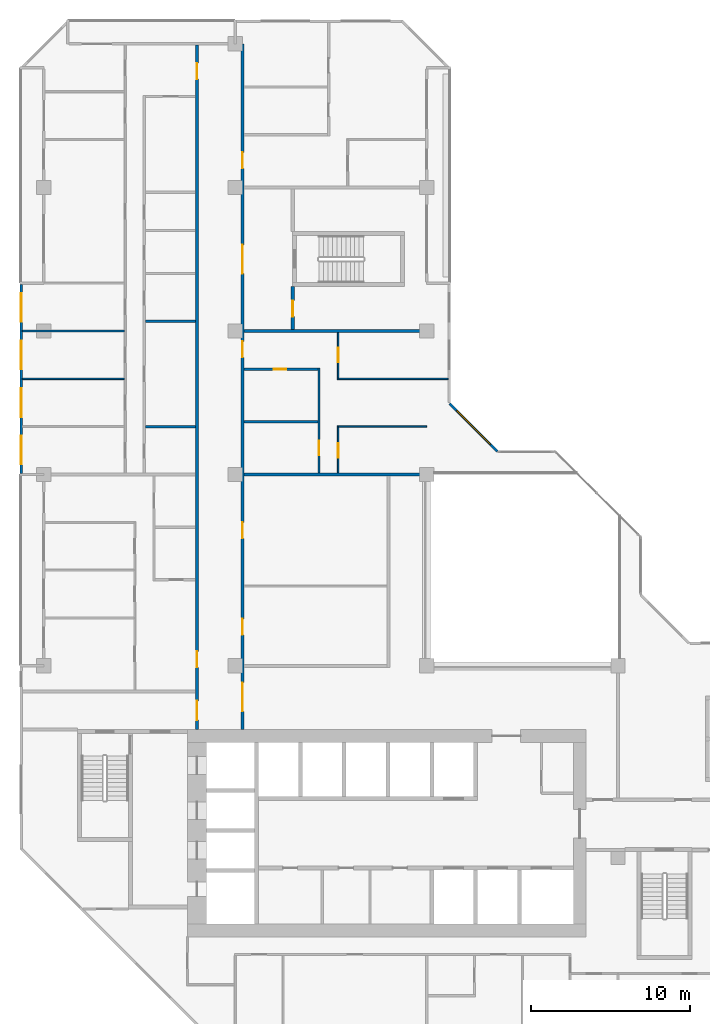
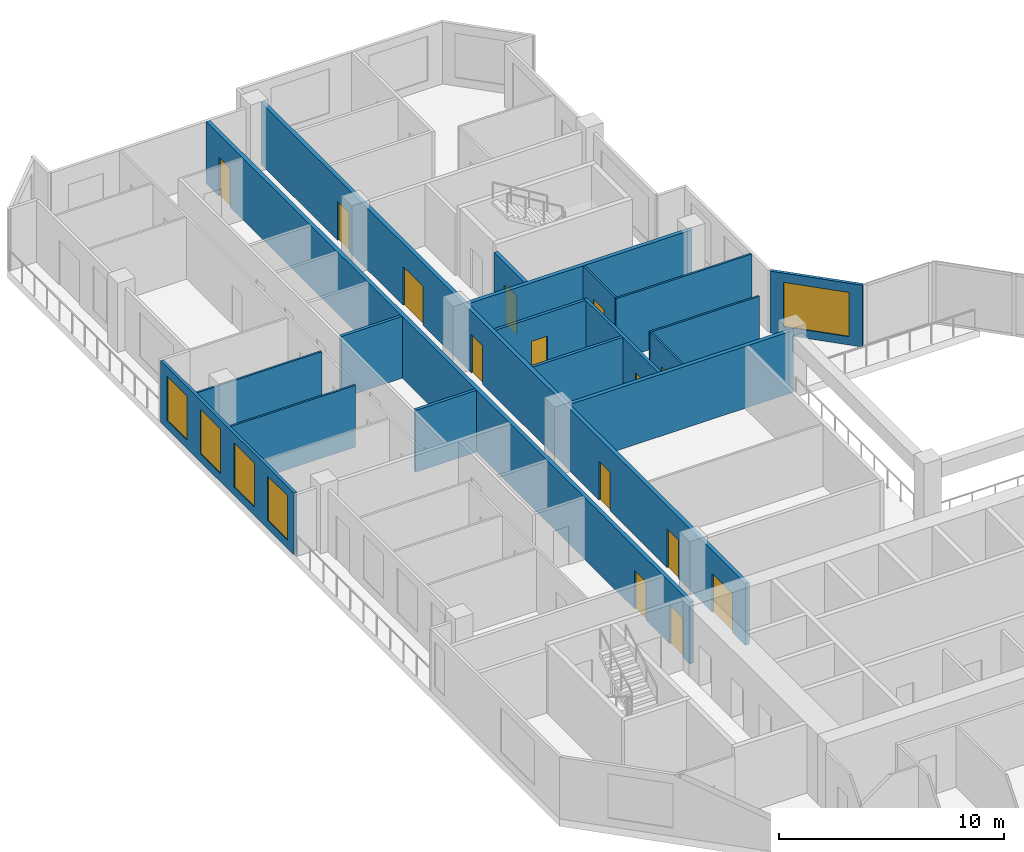
# One storey, part 9 of 14: 18 walls, 14 doors, 5 windows, 19 openings.
"""IFC4 building model written with IfcOpenShell, lengths in metres."""

from ifc_helpers import new_model, si_unit, direction, frame, frame_2d, origin, place, context, subcontext, project, spatial, rectangle, extrude, material, layer, layer_set, type_object, element, fill, save


model = new_model("IFC4")

# Units and contexts
model_context = context("Model", 3, precision=1e-05, world=origin(), true_north=direction((0.0, 1.0)))
body_context = subcontext(model_context, "Body", "Model", "MODEL_VIEW")
ifc_project = project(units=[si_unit("LENGTHUNIT", "METRE"), si_unit("AREAUNIT", "SQUARE_METRE"), si_unit("VOLUMEUNIT", "CUBIC_METRE"), si_unit("PLANEANGLEUNIT", "RADIAN"), si_unit("MASSUNIT", "GRAM", prefix="KILO")], contexts=[model_context])

# Site, building, storey
site_placement = place(None, origin())
site = spatial("IfcSite", under=ifc_project, at=site_placement, CompositionType="ELEMENT")
building_placement = place(site_placement, origin())
building = spatial("IfcBuilding", under=site, at=building_placement, Name="Chenar Terraces", CompositionType="ELEMENT")
storey_placement = place(building_placement, frame((0.0, 0.0, 161.14990234375)))
storey = spatial("IfcBuildingStorey", under=building, at=storey_placement, Name="L36", CompositionType="ELEMENT", Elevation=161.14990234375)

# Wall, openings, doors
ifc_material_1 = material(Name="Gypsum board on steel studs with fire boards", Category="steel")
ifc_layer_1 = layer(ifc_material_1, 0.199951171875)
ifc_layer_set_1 = layer_set([ifc_layer_1], Name="Gypsum board on steel studs with fire boards")
wall_type_1 = type_object("IfcWallType", Name="Corridor wall 200", PredefinedType="PARTITIONING", material=ifc_layer_set_1)
wall_1_placement = place(storey_placement, frame((9.60009765625, 20.0, 0.0), z_axis=(0.0, 0.0, 1.0), x_axis=(0.0, 1.0, 0.0)))
wall_1 = element("IfcWall", 1, at=wall_1_placement, inside=storey, type_object=wall_type_1, Name="Partition L36-028", PredefinedType="PARTITIONING", context=body_context, shape_type="SweptSolid", body=[
    extrude(rectangle(XDim=42.926025390625, YDim=0.199951171875, at=frame_2d((21.462890625, 0.0))), origin(), (0.0, 0.0, 1.0), 3.35009765625),
])
opening_1_placement = place(wall_1_placement, frame((40.800048828125, 0.0, 0.0)))
opening_1 = element("IfcOpeningElement", 2, at=opening_1_placement, cuts=wall_1, Name="Opening DL36-28", PredefinedType="OPENING", context=body_context, shape_type="SweptSolid", body=[
    extrude(rectangle(XDim=1.0, YDim=2.10009765625, at=frame_2d((0.5, 1.050048828125))), frame((0.0, 0.10986328125, 0.0), z_axis=(0.0, -1.0, 0.0), x_axis=(1.0, 0.0, 0.0)), (0.0, 0.0, 1.0), 0.219970703125),
])
opening_2_placement = place(wall_1_placement, frame((0.60009765625, 0.0, 0.0)))
opening_2 = element("IfcOpeningElement", 3, at=opening_2_placement, cuts=wall_1, Name="Opening DL36-37", PredefinedType="OPENING", context=body_context, shape_type="SweptSolid", body=[
    extrude(rectangle(XDim=1.199951171875, YDim=2.10009765625, at=frame_2d((0.60009765625, 1.050048828125))), frame((0.0, 0.10986328125, 0.0), z_axis=(0.0, -1.0, 0.0), x_axis=(1.0, 0.0, 0.0)), (0.0, 0.0, 1.0), 0.219970703125),
])
opening_3_placement = place(wall_1_placement, frame((3.89990234375, 0.0, 0.0)))
opening_3 = element("IfcOpeningElement", 4, at=opening_3_placement, cuts=wall_1, Name="Opening DL36-62", PredefinedType="OPENING", context=body_context, shape_type="SweptSolid", body=[
    extrude(rectangle(XDim=1.0, YDim=2.10009765625, at=frame_2d((0.5, 1.050048828125))), frame((0.0, 0.10986328125, 0.0), z_axis=(0.0, -1.0, 0.0), x_axis=(1.0, 0.0, 0.0)), (0.0, 0.0, 1.0), 0.219970703125),
])
ifc_material_2 = material(Name="Steel-framed fire-resisting door leaf", Category="steel")
door_type_1 = type_object("IfcDoorType", Name="Fire door FD30S 1000 x 2100", OperationType="SINGLE_SWING_LEFT", PredefinedType="DOOR", material=ifc_material_2)
door_1_placement = place(opening_1_placement, origin())
door_1 = element("IfcDoor", 5, at=door_1_placement, inside=storey, type_object=door_type_1, Name="Door DL36-28", OperationType="SINGLE_SWING_LEFT", OverallHeight=2.10009765625, OverallWidth=1.0, PredefinedType="DOOR", context=body_context, shape_type="SweptSolid", body=[
    extrude(rectangle(XDim=1.0, YDim=2.10009765625, at=frame_2d((0.5, 1.050048828125))), frame((0.0, 0.02490234375, 0.0), z_axis=(0.0, -1.0, 0.0), x_axis=(1.0, 0.0, 0.0)), (0.0, 0.0, 1.0), 0.050048828125),
])
fill(opening_1, door_1)
door_2_placement = place(opening_3_placement, origin())
door_2 = element("IfcDoor", 6, at=door_2_placement, inside=storey, type_object=door_type_1, Name="Door DL36-62", OperationType="SINGLE_SWING_LEFT", OverallHeight=2.10009765625, OverallWidth=1.0, PredefinedType="DOOR", context=body_context, shape_type="SweptSolid", body=[
    extrude(rectangle(XDim=1.0, YDim=2.10009765625, at=frame_2d((0.5, 1.050048828125))), frame((0.0, 0.02490234375, 0.0), z_axis=(0.0, -1.0, 0.0), x_axis=(1.0, 0.0, 0.0)), (0.0, 0.0, 1.0), 0.050048828125),
])
fill(opening_3, door_2)
ifc_material_3 = material(Name="Steel-framed fire-resisting door leaf", Category="steel")
door_type_2 = type_object("IfcDoorType", Name="Fire door FD30S 1200 x 2100", OperationType="SINGLE_SWING_LEFT", PredefinedType="DOOR", material=ifc_material_3)
door_3_placement = place(opening_2_placement, origin())
door_3 = element("IfcDoor", 7, at=door_3_placement, inside=storey, type_object=door_type_2, Name="Door DL36-37", OperationType="SINGLE_SWING_RIGHT", OverallHeight=2.10009765625, OverallWidth=1.199951171875, PredefinedType="DOOR", context=body_context, shape_type="SweptSolid", body=[
    extrude(rectangle(XDim=1.199951171875, YDim=2.10009765625, at=frame_2d((0.60009765625, 1.050048828125))), frame((0.0, 0.02490234375, 0.0), z_axis=(0.0, -1.0, 0.0), x_axis=(1.0, 0.0, 0.0)), (0.0, 0.0, 1.0), 0.050048828125),
])
fill(opening_2, door_3)

wall_2_placement = place(storey_placement, frame((12.449951171875, 20.0, 0.0), z_axis=(0.0, 0.0, 1.0), x_axis=(0.0, 1.0, 0.0)))
wall_2 = element("IfcWall", 8, at=wall_2_placement, inside=storey, type_object=wall_type_1, Name="Partition L36-031", PredefinedType="PARTITIONING", context=body_context, shape_type="SweptSolid", body=[
    extrude(rectangle(XDim=43.0, YDim=0.199951171875, at=frame_2d((21.5, 0.0))), origin(), (0.0, 0.0, 1.0), 3.35009765625),
])
opening_4_placement = place(wall_2_placement, frame((5.949951171875, 0.0, 0.0)))
opening_4 = element("IfcOpeningElement", 9, at=opening_4_placement, cuts=wall_2, Name="Opening DL36-1", PredefinedType="OPENING", context=body_context, shape_type="SweptSolid", body=[
    extrude(rectangle(XDim=1.0, YDim=2.10009765625, at=frame_2d((0.5, 1.050048828125))), frame((0.0, 0.10986328125, 0.0), z_axis=(0.0, -1.0, 0.0), x_axis=(1.0, 0.0, 0.0)), (0.0, 0.0, 1.0), 0.219970703125),
])
opening_5_placement = place(wall_2_placement, frame((12.0, 0.0, 0.0)))
opening_5 = element("IfcOpeningElement", 10, at=opening_5_placement, cuts=wall_2, Name="Opening DL36-2", PredefinedType="OPENING", context=body_context, shape_type="SweptSolid", body=[
    extrude(rectangle(XDim=1.0, YDim=2.10009765625, at=frame_2d((0.5, 1.050048828125))), frame((0.0, 0.10986328125, 0.0), z_axis=(0.0, -1.0, 0.0), x_axis=(1.0, 0.0, 0.0)), (0.0, 0.0, 1.0), 0.219970703125),
])
opening_6_placement = place(wall_2_placement, frame((23.35009765625, 0.0, 0.0)))
opening_6 = element("IfcOpeningElement", 11, at=opening_6_placement, cuts=wall_2, Name="Opening DL36-16", PredefinedType="OPENING", context=body_context, shape_type="SweptSolid", body=[
    extrude(rectangle(XDim=1.0, YDim=2.10009765625, at=frame_2d((0.5, 1.050048828125))), frame((0.0, 0.10986328125, 0.0), z_axis=(0.0, -1.0, 0.0), x_axis=(1.0, 0.0, 0.0)), (0.0, 0.0, 1.0), 0.219970703125),
])
opening_7_placement = place(wall_2_placement, frame((35.199951171875, 0.0, 0.0)))
opening_7 = element("IfcOpeningElement", 12, at=opening_7_placement, cuts=wall_2, Name="Opening DL36-20", PredefinedType="OPENING", context=body_context, shape_type="SweptSolid", body=[
    extrude(rectangle(XDim=1.0, YDim=2.10009765625, at=frame_2d((0.5, 1.050048828125))), frame((0.0, 0.10986328125, 0.0), z_axis=(0.0, -1.0, 0.0), x_axis=(1.0, 0.0, 0.0)), (0.0, 0.0, 1.0), 0.219970703125),
])
opening_8_placement = place(wall_2_placement, frame((1.14990234375, 0.0, 0.0)))
opening_8 = element("IfcOpeningElement", 13, at=opening_8_placement, cuts=wall_2, Name="Opening DL36-36", PredefinedType="OPENING", context=body_context, shape_type="SweptSolid", body=[
    extrude(rectangle(XDim=1.800048828125, YDim=2.10009765625, at=frame_2d((0.89990234375, 1.050048828125))), frame((0.0, 0.10986328125, 0.0), z_axis=(0.0, -1.0, 0.0), x_axis=(1.0, 0.0, 0.0)), (0.0, 0.0, 1.0), 0.219970703125),
])
opening_9_placement = place(wall_2_placement, frame((28.60009765625, 0.0, 0.0)))
opening_9 = element("IfcOpeningElement", 14, at=opening_9_placement, cuts=wall_2, Name="Opening DL36-38", PredefinedType="OPENING", context=body_context, shape_type="SweptSolid", body=[
    extrude(rectangle(XDim=1.800048828125, YDim=2.10009765625, at=frame_2d((0.89990234375, 1.050048828125))), frame((0.0, 0.10986328125, 0.0), z_axis=(0.0, -1.0, 0.0), x_axis=(1.0, 0.0, 0.0)), (0.0, 0.0, 1.0), 0.219970703125),
])
ifc_material_4 = material(Name="Steel-framed fire-resisting door leaf", Category="steel")
door_type_3 = type_object("IfcDoorType", Name="Fire door FD60 1000 x 2100", OperationType="SINGLE_SWING_LEFT", PredefinedType="DOOR", material=ifc_material_4)
door_4_placement = place(opening_4_placement, frame((1.0, 0.0, 0.0), z_axis=(0.0, 0.0, 1.0), x_axis=(-1.0, 0.0, 0.0)))
door_4 = element("IfcDoor", 15, at=door_4_placement, inside=storey, type_object=door_type_3, Name="Door DL36-1", OperationType="SINGLE_SWING_LEFT", OverallHeight=2.10009765625, OverallWidth=1.0, PredefinedType="DOOR", context=body_context, shape_type="SweptSolid", body=[
    extrude(rectangle(XDim=1.0, YDim=2.10009765625, at=frame_2d((0.5, 1.050048828125))), frame((0.0, 0.02490234375, 0.0), z_axis=(0.0, -1.0, 0.0), x_axis=(1.0, 0.0, 0.0)), (0.0, 0.0, 1.0), 0.050048828125),
])
fill(opening_4, door_4)
door_5_placement = place(opening_5_placement, frame((1.0, 0.0, 0.0), z_axis=(0.0, 0.0, 1.0), x_axis=(-1.0, 0.0, 0.0)))
door_5 = element("IfcDoor", 16, at=door_5_placement, inside=storey, type_object=door_type_3, Name="Door DL36-2", OperationType="SINGLE_SWING_LEFT", OverallHeight=2.10009765625, OverallWidth=1.0, PredefinedType="DOOR", context=body_context, shape_type="SweptSolid", body=[
    extrude(rectangle(XDim=1.0, YDim=2.10009765625, at=frame_2d((0.5, 1.050048828125))), frame((0.0, 0.02490234375, 0.0), z_axis=(0.0, -1.0, 0.0), x_axis=(1.0, 0.0, 0.0)), (0.0, 0.0, 1.0), 0.050048828125),
])
fill(opening_5, door_5)
door_6_placement = place(opening_6_placement, frame((1.0, 0.0, 0.0), z_axis=(0.0, 0.0, 1.0), x_axis=(-1.0, 0.0, 0.0)))
door_6 = element("IfcDoor", 17, at=door_6_placement, inside=storey, type_object=door_type_3, Name="Door DL36-16", OperationType="SINGLE_SWING_LEFT", OverallHeight=2.10009765625, OverallWidth=1.0, PredefinedType="DOOR", context=body_context, shape_type="SweptSolid", body=[
    extrude(rectangle(XDim=1.0, YDim=2.10009765625, at=frame_2d((0.5, 1.050048828125))), frame((0.0, 0.02490234375, 0.0), z_axis=(0.0, -1.0, 0.0), x_axis=(1.0, 0.0, 0.0)), (0.0, 0.0, 1.0), 0.050048828125),
])
fill(opening_6, door_6)
door_7_placement = place(opening_7_placement, frame((1.0, 0.0, 0.0), z_axis=(0.0, 0.0, 1.0), x_axis=(-1.0, 0.0, 0.0)))
door_7 = element("IfcDoor", 18, at=door_7_placement, inside=storey, type_object=door_type_3, Name="Door DL36-20", OperationType="SINGLE_SWING_LEFT", OverallHeight=2.10009765625, OverallWidth=1.0, PredefinedType="DOOR", context=body_context, shape_type="SweptSolid", body=[
    extrude(rectangle(XDim=1.0, YDim=2.10009765625, at=frame_2d((0.5, 1.050048828125))), frame((0.0, 0.02490234375, 0.0), z_axis=(0.0, -1.0, 0.0), x_axis=(1.0, 0.0, 0.0)), (0.0, 0.0, 1.0), 0.050048828125),
])
fill(opening_7, door_7)
ifc_material_5 = material(Name="Steel-framed fire-resisting door leaf", Category="steel")
door_type_4 = type_object("IfcDoorType", Name="Fire double door FD60 1800 x 2100", OperationType="DOUBLE_DOOR_SINGLE_SWING", PredefinedType="DOOR", material=ifc_material_5)
door_8_placement = place(opening_8_placement, frame((1.800048828125, 0.0, 0.0), z_axis=(0.0, 0.0, 1.0), x_axis=(-1.0, 0.0, 0.0)))
door_8 = element("IfcDoor", 19, at=door_8_placement, inside=storey, type_object=door_type_4, Name="Door DL36-36", OperationType="DOUBLE_DOOR_SINGLE_SWING", OverallHeight=2.10009765625, OverallWidth=1.800048828125, PredefinedType="DOOR", context=body_context, shape_type="SweptSolid", body=[
    extrude(rectangle(XDim=1.800048828125, YDim=2.10009765625, at=frame_2d((0.89990234375, 1.050048828125))), frame((0.0, 0.02490234375, 0.0), z_axis=(0.0, -1.0, 0.0), x_axis=(1.0, 0.0, 0.0)), (0.0, 0.0, 1.0), 0.050048828125),
])
fill(opening_8, door_8)
door_9_placement = place(opening_9_placement, frame((1.800048828125, 0.0, 0.0), z_axis=(0.0, 0.0, 1.0), x_axis=(-1.0, 0.0, 0.0)))
door_9 = element("IfcDoor", 20, at=door_9_placement, inside=storey, type_object=door_type_4, Name="Door DL36-38", OperationType="DOUBLE_DOOR_SINGLE_SWING", OverallHeight=2.10009765625, OverallWidth=1.800048828125, PredefinedType="DOOR", context=body_context, shape_type="SweptSolid", body=[
    extrude(rectangle(XDim=1.800048828125, YDim=2.10009765625, at=frame_2d((0.89990234375, 1.050048828125))), frame((0.0, 0.02490234375, 0.0), z_axis=(0.0, -1.0, 0.0), x_axis=(1.0, 0.0, 0.0)), (0.0, 0.0, 1.0), 0.050048828125),
])
fill(opening_9, door_9)

# Wall, opening, door
wall_3_placement = place(storey_placement, frame((15.60009765625, 45.10009765625, 0.0), z_axis=(0.0, 0.0, 1.0), x_axis=(0.0, 1.0, 0.0)))
wall_3 = element("IfcWall", 21, at=wall_3_placement, inside=storey, type_object=wall_type_1, Name="Partition L36-042", PredefinedType="PARTITIONING", context=body_context, shape_type="SweptSolid", body=[
    extrude(rectangle(XDim=2.6748046875, YDim=0.199951171875, at=frame_2d((1.33740234375, 0.0))), origin(), (0.0, 0.0, 1.0), 3.35009765625),
])
opening_10_placement = place(wall_3_placement, frame((0.800048828125, 0.0, 0.0)))
opening_10 = element("IfcOpeningElement", 22, at=opening_10_placement, cuts=wall_3, Name="Opening DL36-40", PredefinedType="OPENING", context=body_context, shape_type="SweptSolid", body=[
    extrude(rectangle(XDim=1.0, YDim=2.10009765625, at=frame_2d((0.5, 1.050048828125))), frame((0.0, 0.10986328125, 0.0), z_axis=(0.0, -1.0, 0.0), x_axis=(1.0, 0.0, 0.0)), (0.0, 0.0, 1.0), 0.219970703125),
])
door_10_placement = place(opening_10_placement, frame((1.0, 0.0, 0.0), z_axis=(0.0, 0.0, 1.0), x_axis=(-1.0, 0.0, 0.0)))
door_10 = element("IfcDoor", 23, at=door_10_placement, inside=storey, type_object=door_type_3, Name="Door DL36-40", OperationType="SINGLE_SWING_RIGHT", OverallHeight=2.10009765625, OverallWidth=1.0, PredefinedType="DOOR", context=body_context, shape_type="SweptSolid", body=[
    extrude(rectangle(XDim=1.0, YDim=2.10009765625, at=frame_2d((0.5, 1.050048828125))), frame((0.0, 0.02490234375, 0.0), z_axis=(0.0, -1.0, 0.0), x_axis=(1.0, 0.0, 0.0)), (0.0, 0.0, 1.0), 0.050048828125),
])
fill(opening_10, door_10)

# Wall, openings, windows
ifc_material_6 = material(Name="Aluminium framed glazing", Category="aluminium")
ifc_layer_2 = layer(ifc_material_6, 0.14990234375)
ifc_layer_set_2 = layer_set([ifc_layer_2], Name="Aluminium framed glazing")
wall_type_2 = type_object("IfcWallType", Name="Glazed flush facade wall 150", PredefinedType="SOLIDWALL", material=ifc_layer_set_2)
wall_4_placement = place(storey_placement, frame((-1.425048828125, 47.925048828125, 0.0), z_axis=(0.0, 0.0, 1.0), x_axis=(0.0, -1.0, 0.0)))
wall_4 = element("IfcWall", 24, at=wall_4_placement, inside=storey, type_object=wall_type_2, Name="Glazed flush facade wall", PredefinedType="SOLIDWALL", context=body_context, shape_type="SweptSolid", body=[
    extrude(rectangle(XDim=11.85009765625, YDim=0.14990234375, at=frame_2d((5.925048828125, 0.0))), origin(), (0.0, 0.0, 1.0), 3.35009765625),
])
opening_11_placement = place(wall_4_placement, frame((0.5625, 0.0, 0.449951171875)))
opening_11 = element("IfcOpeningElement", 25, at=opening_11_placement, cuts=wall_4, Name="Opening W180x240", PredefinedType="OPENING", context=body_context, shape_type="SweptSolid", body=[
    extrude(rectangle(XDim=1.800048828125, YDim=2.39990234375, at=frame_2d((0.89990234375, 1.199951171875))), frame((0.0, 0.0849609375, 0.0), z_axis=(0.0, -1.0, 0.0), x_axis=(1.0, 0.0, 0.0)), (0.0, 0.0, 1.0), 0.169921875),
])
opening_12_placement = place(wall_4_placement, frame((3.52490234375, 0.0, 0.449951171875)))
opening_12 = element("IfcOpeningElement", 26, at=opening_12_placement, cuts=wall_4, Name="Opening W180x240", PredefinedType="OPENING", context=body_context, shape_type="SweptSolid", body=[
    extrude(rectangle(XDim=1.800048828125, YDim=2.39990234375, at=frame_2d((0.89990234375, 1.199951171875))), frame((0.0, 0.0849609375, 0.0), z_axis=(0.0, -1.0, 0.0), x_axis=(1.0, 0.0, 0.0)), (0.0, 0.0, 1.0), 0.169921875),
])
opening_13_placement = place(wall_4_placement, frame((6.52490234375, 0.0, 0.449951171875)))
opening_13 = element("IfcOpeningElement", 27, at=opening_13_placement, cuts=wall_4, Name="Opening W180x240", PredefinedType="OPENING", context=body_context, shape_type="SweptSolid", body=[
    extrude(rectangle(XDim=1.800048828125, YDim=2.39990234375, at=frame_2d((0.89990234375, 1.199951171875))), frame((0.0, 0.0849609375, 0.0), z_axis=(0.0, -1.0, 0.0), x_axis=(1.0, 0.0, 0.0)), (0.0, 0.0, 1.0), 0.169921875),
])
opening_14_placement = place(wall_4_placement, frame((9.487548828125, 0.0, 0.449951171875)))
opening_14 = element("IfcOpeningElement", 28, at=opening_14_placement, cuts=wall_4, Name="Opening W180x240", PredefinedType="OPENING", context=body_context, shape_type="SweptSolid", body=[
    extrude(rectangle(XDim=1.800048828125, YDim=2.39990234375, at=frame_2d((0.89990234375, 1.199951171875))), frame((0.0, 0.0849609375, 0.0), z_axis=(0.0, -1.0, 0.0), x_axis=(1.0, 0.0, 0.0)), (0.0, 0.0, 1.0), 0.169921875),
])
ifc_material_7 = material(Name="Low emissivity double glazing, aluminium frame", Category="aluminium")
window_type_1 = type_object("IfcWindowType", Name="Fixed light 1800 x 2400", PartitioningType="SINGLE_PANEL", PredefinedType="WINDOW", material=ifc_material_7)
window_1_placement = place(opening_11_placement, origin())
window_1 = element("IfcWindow", 29, at=window_1_placement, inside=storey, type_object=window_type_1, Name="Window", OverallHeight=2.39990234375, OverallWidth=1.800048828125, PartitioningType="SINGLE_PANEL", PredefinedType="WINDOW", context=body_context, shape_type="SweptSolid", body=[
    extrude(rectangle(XDim=1.800048828125, YDim=2.39990234375, at=frame_2d((0.89990234375, 1.199951171875))), frame((0.0, 0.030029296875, 0.0), z_axis=(0.0, -1.0, 0.0), x_axis=(1.0, 0.0, 0.0)), (0.0, 0.0, 1.0), 0.06005859375),
])
fill(opening_11, window_1)
window_2_placement = place(opening_12_placement, origin())
window_2 = element("IfcWindow", 30, at=window_2_placement, inside=storey, type_object=window_type_1, Name="Window", OverallHeight=2.39990234375, OverallWidth=1.800048828125, PartitioningType="SINGLE_PANEL", PredefinedType="WINDOW", context=body_context, shape_type="SweptSolid", body=[
    extrude(rectangle(XDim=1.800048828125, YDim=2.39990234375, at=frame_2d((0.89990234375, 1.199951171875))), frame((0.0, 0.030029296875, 0.0), z_axis=(0.0, -1.0, 0.0), x_axis=(1.0, 0.0, 0.0)), (0.0, 0.0, 1.0), 0.06005859375),
])
fill(opening_12, window_2)
window_3_placement = place(opening_13_placement, origin())
window_3 = element("IfcWindow", 31, at=window_3_placement, inside=storey, type_object=window_type_1, Name="Window", OverallHeight=2.39990234375, OverallWidth=1.800048828125, PartitioningType="SINGLE_PANEL", PredefinedType="WINDOW", context=body_context, shape_type="SweptSolid", body=[
    extrude(rectangle(XDim=1.800048828125, YDim=2.39990234375, at=frame_2d((0.89990234375, 1.199951171875))), frame((0.0, 0.030029296875, 0.0), z_axis=(0.0, -1.0, 0.0), x_axis=(1.0, 0.0, 0.0)), (0.0, 0.0, 1.0), 0.06005859375),
])
fill(opening_13, window_3)
window_4_placement = place(opening_14_placement, origin())
window_4 = element("IfcWindow", 32, at=window_4_placement, inside=storey, type_object=window_type_1, Name="Window", OverallHeight=2.39990234375, OverallWidth=1.800048828125, PartitioningType="SINGLE_PANEL", PredefinedType="WINDOW", context=body_context, shape_type="SweptSolid", body=[
    extrude(rectangle(XDim=1.800048828125, YDim=2.39990234375, at=frame_2d((0.89990234375, 1.199951171875))), frame((0.0, 0.030029296875, 0.0), z_axis=(0.0, -1.0, 0.0), x_axis=(1.0, 0.0, 0.0)), (0.0, 0.0, 1.0), 0.06005859375),
])
fill(opening_14, window_4)

# Walls
ifc_material_8 = material(Name="Gypsum board on steel studs", Category="steel")
ifc_layer_3 = layer(ifc_material_8, 0.10009765625)
ifc_layer_set_3 = layer_set([ifc_layer_3], Name="Gypsum board on steel studs")
wall_type_3 = type_object("IfcWallType", Name="Gypsum partition 100", PredefinedType="PARTITIONING", material=ifc_layer_set_3)
for number, where, z_axis, x_axis, name in (
    (33, (-1.35107421875, 42.0, 0.0), (0.0, 0.0, 1.0), (1.0, 0.0, 0.0), "Partition L36-002"),
    (34, (-1.35107421875, 45.0, 0.0), (0.0, 0.0, 1.0), (1.0, 0.0, 0.0), "Partition L36-003"),
):
    element("IfcWall", number, at=place(storey_placement, frame(where, z_axis=z_axis, x_axis=x_axis)), inside=storey, type_object=wall_type_3, Name=name, PredefinedType="PARTITIONING", context=body_context, shape_type="SweptSolid", body=[
        extrude(rectangle(XDim=6.401123046875, YDim=0.10009765625, at=frame_2d((3.20068359375, 0.0))), origin(), (0.0, 0.0, 1.0), 3.35009765625),
    ])
wall_5_placement = place(storey_placement, frame((18.39990234375, 39.0, 0.0), z_axis=(0.0, 0.0, 1.0), x_axis=(1.0, 0.0, 0.0)))
element("IfcWall", 35, at=wall_5_placement, inside=storey, type_object=wall_type_3, Name="Partition L36-046", PredefinedType="PARTITIONING", context=body_context, shape_type="SweptSolid", body=[
    extrude(rectangle(XDim=5.60009765625, YDim=0.10009765625, at=frame_2d((2.800048828125, 0.0))), origin(), (0.0, 0.0, 1.0), 3.35009765625),
])
wall_6_placement = place(storey_placement, frame((18.39990234375, 42.0, 0.0), z_axis=(0.0, 0.0, 1.0), x_axis=(1.0, 0.0, 0.0)))
element("IfcWall", 36, at=wall_6_placement, inside=storey, type_object=wall_type_3, Name="Partition L36-047", PredefinedType="PARTITIONING", context=body_context, shape_type="SweptSolid", body=[
    extrude(rectangle(XDim=6.9501953125, YDim=0.10009765625, at=frame_2d((3.47509765625, 0.0))), origin(), (0.0, 0.0, 1.0), 3.35009765625),
])

# Wall, opening, door
wall_7_placement = place(storey_placement, frame((18.449951171875, 36.10009765625, 0.0), z_axis=(0.0, 0.0, 1.0), x_axis=(0.0, 1.0, 0.0)))
wall_7 = element("IfcWall", 37, at=wall_7_placement, inside=storey, type_object=wall_type_3, Name="Partition L36-048", PredefinedType="PARTITIONING", context=body_context, shape_type="SweptSolid", body=[
    extrude(rectangle(XDim=2.849853515625, YDim=0.10009765625, at=frame_2d((1.4248046875, 0.0))), origin(), (0.0, 0.0, 1.0), 3.35009765625),
])
opening_15_placement = place(wall_7_placement, frame((0.949951171875, 0.0, 0.0)))
opening_15 = element("IfcOpeningElement", 38, at=opening_15_placement, cuts=wall_7, Name="Opening DL36-13", PredefinedType="OPENING", context=body_context, shape_type="SweptSolid", body=[
    extrude(rectangle(XDim=0.89990234375, YDim=2.10009765625, at=frame_2d((0.449951171875, 1.050048828125))), frame((0.0, 0.06005859375, 0.0), z_axis=(0.0, -1.0, 0.0), x_axis=(1.0, 0.0, 0.0)), (0.0, 0.0, 1.0), 0.1201171875),
])
ifc_material_9 = material(Name="Veneered timber door leaf", Category="wood")
door_type_5 = type_object("IfcDoorType", Name="Door 900 x 2100", OperationType="SINGLE_SWING_LEFT", PredefinedType="DOOR", material=ifc_material_9)
door_11_placement = place(opening_15_placement, frame((0.89990234375, 0.0, 0.0), z_axis=(0.0, 0.0, 1.0), x_axis=(-1.0, 0.0, 0.0)))
door_11 = element("IfcDoor", 39, at=door_11_placement, inside=storey, type_object=door_type_5, Name="Door DL36-13", OperationType="SINGLE_SWING_LEFT", OverallHeight=2.10009765625, OverallWidth=0.89990234375, PredefinedType="DOOR", context=body_context, shape_type="SweptSolid", body=[
    extrude(rectangle(XDim=0.89990234375, YDim=2.10009765625, at=frame_2d((0.449951171875, 1.050048828125))), frame((0.0, 0.02490234375, 0.0), z_axis=(0.0, -1.0, 0.0), x_axis=(1.0, 0.0, 0.0)), (0.0, 0.0, 1.0), 0.050048828125),
])
fill(opening_15, door_11)

wall_8_placement = place(storey_placement, frame((18.449951171875, 42.050048828125, 0.0), z_axis=(0.0, 0.0, 1.0), x_axis=(0.0, 1.0, 0.0)))
wall_8 = element("IfcWall", 40, at=wall_8_placement, inside=storey, type_object=wall_type_3, Name="Partition L36-049", PredefinedType="PARTITIONING", context=body_context, shape_type="SweptSolid", body=[
    extrude(rectangle(XDim=2.849853515625, YDim=0.10009765625, at=frame_2d((1.4248046875, 0.0))), origin(), (0.0, 0.0, 1.0), 3.35009765625),
])
opening_16_placement = place(wall_8_placement, frame((1.0, 0.0, 0.0)))
opening_16 = element("IfcOpeningElement", 41, at=opening_16_placement, cuts=wall_8, Name="Opening DL36-14", PredefinedType="OPENING", context=body_context, shape_type="SweptSolid", body=[
    extrude(rectangle(XDim=0.89990234375, YDim=2.10009765625, at=frame_2d((0.449951171875, 1.050048828125))), frame((0.0, 0.06005859375, 0.0), z_axis=(0.0, -1.0, 0.0), x_axis=(1.0, 0.0, 0.0)), (0.0, 0.0, 1.0), 0.1201171875),
])
door_12_placement = place(opening_16_placement, frame((0.89990234375, 0.0, 0.0), z_axis=(0.0, 0.0, 1.0), x_axis=(-1.0, 0.0, 0.0)))
door_12 = element("IfcDoor", 42, at=door_12_placement, inside=storey, type_object=door_type_5, Name="Door DL36-14", OperationType="SINGLE_SWING_LEFT", OverallHeight=2.10009765625, OverallWidth=0.89990234375, PredefinedType="DOOR", context=body_context, shape_type="SweptSolid", body=[
    extrude(rectangle(XDim=0.89990234375, YDim=2.10009765625, at=frame_2d((0.449951171875, 1.050048828125))), frame((0.0, 0.02490234375, 0.0), z_axis=(0.0, -1.0, 0.0), x_axis=(1.0, 0.0, 0.0)), (0.0, 0.0, 1.0), 0.050048828125),
])
fill(opening_16, door_12)

# Wall, opening, window
ifc_material_10 = material(Name="Terracotta cladding on insulated backing", Category="masonry")
ifc_layer_4 = layer(ifc_material_10, 0.14990234375)
ifc_layer_set_4 = layer_set([ifc_layer_4], Name="Terracotta cladding on insulated backing")
wall_type_4 = type_object("IfcWallType", Name="Terracotta rainscreen wall 150", PredefinedType="SOLIDWALL", material=ifc_layer_set_4)
wall_9_placement = place(storey_placement, frame((28.447021484375, 37.447021484375, 0.0), z_axis=(0.0, 0.0, 1.0), x_axis=(-0.707106781187, 0.707106781187, 0.0)))
wall_9 = element("IfcWall", 43, at=wall_9_placement, inside=storey, type_object=wall_type_4, Name="Terracotta rainscreen wall", PredefinedType="SOLIDWALL", context=body_context, shape_type="SweptSolid", body=[
    extrude(rectangle(XDim=4.24267578125, YDim=0.14990234375, at=frame_2d((2.121337890625, 0.0))), origin(), (0.0, 0.0, 1.0), 3.35009765625),
])
opening_17_placement = place(wall_9_placement, frame((0.621337890625, 0.0, 0.449951171875)))
opening_17 = element("IfcOpeningElement", 44, at=opening_17_placement, cuts=wall_9, Name="Opening W300x240", PredefinedType="OPENING", context=body_context, shape_type="SweptSolid", body=[
    extrude(rectangle(XDim=3.0, YDim=2.39990234375, at=frame_2d((1.5, 1.199951171875))), frame((0.0, 0.0849609375, 0.0), z_axis=(0.0, -1.0, 0.0), x_axis=(1.0, 0.0, 0.0)), (0.0, 0.0, 1.0), 0.169921875),
])
ifc_material_11 = material(Name="Low emissivity double glazing, aluminium frame", Category="aluminium")
window_type_2 = type_object("IfcWindowType", Name="Fixed light 3000 x 2400", PartitioningType="SINGLE_PANEL", PredefinedType="WINDOW", material=ifc_material_11)
window_5_placement = place(opening_17_placement, origin())
window_5 = element("IfcWindow", 45, at=window_5_placement, inside=storey, type_object=window_type_2, Name="Window", OverallHeight=2.39990234375, OverallWidth=3.0, PartitioningType="SINGLE_PANEL", PredefinedType="WINDOW", context=body_context, shape_type="SweptSolid", body=[
    extrude(rectangle(XDim=3.0, YDim=2.39990234375, at=frame_2d((1.5, 1.199951171875))), frame((0.0, 0.030029296875, 0.0), z_axis=(0.0, -1.0, 0.0), x_axis=(1.0, 0.0, 0.0)), (0.0, 0.0, 1.0), 0.06005859375),
])
fill(opening_17, window_5)

# Walls
ifc_material_12 = material(Name="Twin gypsum board on steel studs with mineral wool", Category="steel")
ifc_layer_5 = layer(ifc_material_12, 0.199951171875)
ifc_layer_set_5 = layer_set([ifc_layer_5], Name="Twin gypsum board on steel studs with mineral wool")
wall_type_5 = type_object("IfcWallType", Name="Unit demising wall 200", PredefinedType="PARTITIONING", material=ifc_layer_set_5)
for number, where, z_axis, x_axis, name in (
    (46, (12.550048828125, 36.0, 0.0), (0.0, 0.0, 1.0), (1.0, 0.0, 0.0), "Partition L36-034"),
    (47, (12.550048828125, 45.0, 0.0), (0.0, 0.0, 1.0), (1.0, 0.0, 0.0), "Partition L36-037"),
):
    element("IfcWall", number, at=place(storey_placement, frame(where, z_axis=z_axis, x_axis=x_axis)), inside=storey, type_object=wall_type_5, Name=name, PredefinedType="PARTITIONING", context=body_context, shape_type="SweptSolid", body=[
        extrude(rectangle(XDim=11.449951171875, YDim=0.199951171875, at=frame_2d((5.72509765625, 0.0))), origin(), (0.0, 0.0, 1.0), 3.35009765625),
    ])
ifc_material_13 = material(Name="Moisture-resistant gypsum board on steel studs", Category="steel")
ifc_layer_6 = layer(ifc_material_13, 0.14990234375)
ifc_layer_set_6 = layer_set([ifc_layer_6], Name="Moisture-resistant gypsum board on steel studs")
wall_type_6 = type_object("IfcWallType", Name="Wet-room partition 150", PredefinedType="PARTITIONING", material=ifc_layer_set_6)
for number, where, z_axis, x_axis, name in (
    (48, (6.375, 39.0, 0.0), (0.0, 0.0, 1.0), (1.0, 0.0, 0.0), "Partition L36-017"),
    (49, (6.375, 45.60009765625, 0.0), (0.0, 0.0, 1.0), (1.0, 0.0, 0.0), "Partition L36-018"),
):
    element("IfcWall", number, at=place(storey_placement, frame(where, z_axis=z_axis, x_axis=x_axis)), inside=storey, type_object=wall_type_6, Name=name, PredefinedType="PARTITIONING", context=body_context, shape_type="SweptSolid", body=[
        extrude(rectangle(XDim=3.125, YDim=0.14990234375, at=frame_2d((1.5625, 0.0))), origin(), (0.0, 0.0, 1.0), 3.35009765625),
    ])
wall_10_placement = place(storey_placement, frame((12.550048828125, 39.300048828125, 0.0), z_axis=(0.0, 0.0, 1.0), x_axis=(1.0, 0.0, 0.0)))
element("IfcWall", 50, at=wall_10_placement, inside=storey, type_object=wall_type_6, Name="Partition L36-035", PredefinedType="PARTITIONING", context=body_context, shape_type="SweptSolid", body=[
    extrude(rectangle(XDim=4.625, YDim=0.14990234375, at=frame_2d((2.3125, 0.0))), origin(), (0.0, 0.0, 1.0), 3.35009765625),
])

# Wall, opening, door
wall_11_placement = place(storey_placement, frame((12.550048828125, 42.60009765625, 0.0), z_axis=(0.0, 0.0, 1.0), x_axis=(1.0, 0.0, 0.0)))
wall_11 = element("IfcWall", 51, at=wall_11_placement, inside=storey, type_object=wall_type_6, Name="Partition L36-036", PredefinedType="PARTITIONING", context=body_context, shape_type="SweptSolid", body=[
    extrude(rectangle(XDim=4.625, YDim=0.14990234375, at=frame_2d((2.3125, 0.0))), origin(), (0.0, 0.0, 1.0), 3.35009765625),
])
opening_18_placement = place(wall_11_placement, frame((1.85009765625, 0.0, 0.0)))
opening_18 = element("IfcOpeningElement", 52, at=opening_18_placement, cuts=wall_11, Name="Opening DL36-12", PredefinedType="OPENING", context=body_context, shape_type="SweptSolid", body=[
    extrude(rectangle(XDim=0.800048828125, YDim=2.10009765625, at=frame_2d((0.39990234375, 1.050048828125))), frame((0.0, 0.0849609375, 0.0), z_axis=(0.0, -1.0, 0.0), x_axis=(1.0, 0.0, 0.0)), (0.0, 0.0, 1.0), 0.169921875),
])
ifc_material_14 = material(Name="Veneered timber door leaf", Category="wood")
door_type_6 = type_object("IfcDoorType", Name="Door 800 x 2100", OperationType="SINGLE_SWING_LEFT", PredefinedType="DOOR", material=ifc_material_14)
door_13_placement = place(opening_18_placement, frame((0.800048828125, 0.0, 0.0), z_axis=(0.0, 0.0, 1.0), x_axis=(-1.0, 0.0, 0.0)))
door_13 = element("IfcDoor", 53, at=door_13_placement, inside=storey, type_object=door_type_6, Name="Door DL36-12", OperationType="SINGLE_SWING_LEFT", OverallHeight=2.10009765625, OverallWidth=0.800048828125, PredefinedType="DOOR", context=body_context, shape_type="SweptSolid", body=[
    extrude(rectangle(XDim=0.800048828125, YDim=2.10009765625, at=frame_2d((0.39990234375, 1.050048828125))), frame((0.0, 0.02490234375, 0.0), z_axis=(0.0, -1.0, 0.0), x_axis=(1.0, 0.0, 0.0)), (0.0, 0.0, 1.0), 0.050048828125),
])
fill(opening_18, door_13)

wall_12_placement = place(storey_placement, frame((17.25, 36.10009765625, 0.0), z_axis=(0.0, 0.0, 1.0), x_axis=(0.0, 1.0, 0.0)))
wall_12 = element("IfcWall", 54, at=wall_12_placement, inside=storey, type_object=wall_type_6, Name="Partition L36-044", PredefinedType="PARTITIONING", context=body_context, shape_type="SweptSolid", body=[
    extrude(rectangle(XDim=6.574951171875, YDim=0.14990234375, at=frame_2d((3.28759765625, 0.0))), origin(), (0.0, 0.0, 1.0), 3.35009765625),
])
opening_19_placement = place(wall_12_placement, frame((1.10009765625, 0.0, 0.0)))
opening_19 = element("IfcOpeningElement", 55, at=opening_19_placement, cuts=wall_12, Name="Opening DL36-15", PredefinedType="OPENING", context=body_context, shape_type="SweptSolid", body=[
    extrude(rectangle(XDim=0.89990234375, YDim=2.10009765625, at=frame_2d((0.449951171875, 1.050048828125))), frame((0.0, 0.0849609375, 0.0), z_axis=(0.0, -1.0, 0.0), x_axis=(1.0, 0.0, 0.0)), (0.0, 0.0, 1.0), 0.169921875),
])
door_14_placement = place(opening_19_placement, origin())
door_14 = element("IfcDoor", 56, at=door_14_placement, inside=storey, type_object=door_type_5, Name="Door DL36-15", OperationType="SINGLE_SWING_LEFT", OverallHeight=2.10009765625, OverallWidth=0.89990234375, PredefinedType="DOOR", context=body_context, shape_type="SweptSolid", body=[
    extrude(rectangle(XDim=0.89990234375, YDim=2.10009765625, at=frame_2d((0.449951171875, 1.050048828125))), frame((0.0, 0.02490234375, 0.0), z_axis=(0.0, -1.0, 0.0), x_axis=(1.0, 0.0, 0.0)), (0.0, 0.0, 1.0), 0.050048828125),
])
fill(opening_19, door_14)

save(model, "model.ifc")
